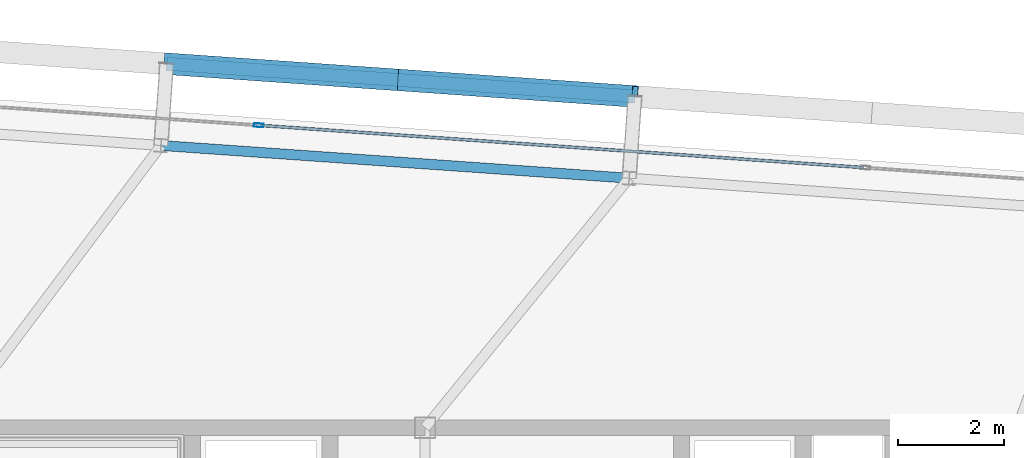
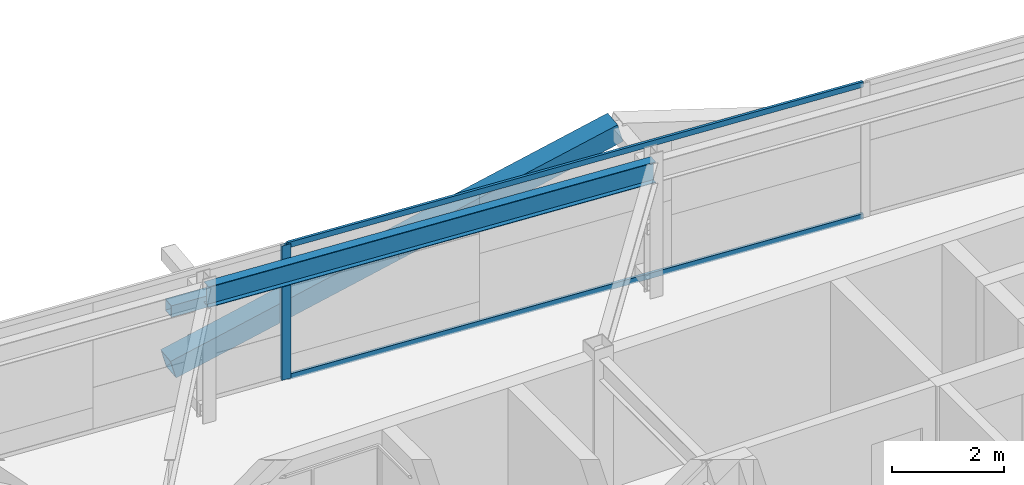
# One storey, part 21 of 39: 6 members, 1 beam, 1 element without a shape of its own.
"""IFC4 building model written with IfcOpenShell, lengths in metres."""

from ifc_helpers import new_model, si_unit, direction, frame, origin, origin_2d, place, context, subcontext, project, spatial, hollow_rectangle, i_section, extrude, source, transform, mapped, material, layer, layer_set, material_profile, profile_set, type_object, element, aggregate, save


model = new_model("IFC4")

# Units and contexts
model_context = context("Model", 3, precision=1e-05, world=origin(), true_north=direction((0.0, 1.0)))
body_context = subcontext(model_context, "Body", "Model", "MODEL_VIEW")
ifc_project = project(units=[si_unit("LENGTHUNIT", "METRE"), si_unit("AREAUNIT", "SQUARE_METRE"), si_unit("VOLUMEUNIT", "CUBIC_METRE"), si_unit("PLANEANGLEUNIT", "RADIAN"), si_unit("MASSUNIT", "GRAM", prefix="KILO")], contexts=[model_context])

# Site, building, storey
site_placement = place(None, origin())
site = spatial("IfcSite", under=ifc_project, at=site_placement, CompositionType="ELEMENT")
building_placement = place(site_placement, origin())
building = spatial("IfcBuilding", under=site, at=building_placement, Name="Taldren Reach Tower", CompositionType="ELEMENT")
storey_placement = place(building_placement, frame((0.0, 0.0, 148.75)))
storey = spatial("IfcBuildingStorey", under=building, at=storey_placement, Name="L45", CompositionType="ELEMENT", Elevation=148.75)

# Beam
ifc_material_1 = material(Name="Steel Gr 350 (350PLUS)", Category="steel")
ifc_material_profile_1 = material_profile(ifc_material_1, i_section(OverallWidth=0.18994140625, OverallDepth=0.4541015625, WebThickness=0.008544921875, FlangeThickness=0.0126953125, at=origin_2d()), Name="460UB67.1")
ifc_profile_set_1 = profile_set([ifc_material_profile_1], Name="Steel Gr 350 (350PLUS)")
beam_type = type_object("IfcBeamType", Name="SP-UB460B", PredefinedType="SPANDREL", material=ifc_profile_set_1)
shared_shape_1 = source(origin(), body_context, "Body", "SweptSolid", [
    extrude(i_section(OverallWidth=0.18994140625, OverallDepth=0.4541015625, WebThickness=0.008544921875, FlangeThickness=0.0126953125, at=origin_2d()), origin(), (0.0, 0.0, 1.0), 8.880126953125),
])
beam_placement = place(storey_placement, frame((31.861328125, 36.719970703125, 2.702880859375), z_axis=(-0.997564479639, 0.069750333063, 0.0), x_axis=(-0.069750333063, -0.997564479639, 0.0)))
element("IfcBeam", 1, at=beam_placement, inside=storey, type_object=beam_type, Name="Perimeter spandrel B3 N3-N2 L45", PredefinedType="SPANDREL", context=body_context, shape_type="MappedRepresentation", body=[
    mapped(shared_shape_1, transform((0.0, 0.0, 0.0), scale=1.0)),
])

# Members
ifc_material_2 = material(Name="Steel Gr 350 (C350L0)", Category="steel")
ifc_material_profile_2 = material_profile(ifc_material_2, hollow_rectangle(XDim=0.25, YDim=0.25, WallThickness=0.010009765625, at=origin_2d()), Name="250x250x10.0SHS")
ifc_profile_set_2 = profile_set([ifc_material_profile_2], Name="Steel Gr 350 (C350L0)")
member_type_1 = type_object("IfcMemberType", Name="MB-POST250", PredefinedType="POST", material=ifc_profile_set_2)
shared_shape_2 = source(origin(), body_context, "Body", "SweptSolid", [
    extrude(hollow_rectangle(XDim=0.25, YDim=0.25, WallThickness=0.010009765625, at=origin_2d()), origin(), (0.0, 0.0, 1.0), 8.880126953125),
])
member_1_placement = place(storey_placement, frame((23.111083984375, 38.885498046875, 1.43505859375), z_axis=(0.997564479639, -0.069750333063, 0.0), x_axis=(0.069750333063, 0.997564479639, 0.0)))
element("IfcMember", 2, at=member_1_placement, inside=storey, type_object=member_type_1, Name="Exoskeleton mid-height ring chord B3-N2 L45", PredefinedType="POST", context=body_context, shape_type="MappedRepresentation", body=[
    mapped(shared_shape_2, transform((0.0, 0.0, 0.0), scale=1.0)),
])
ifc_material_3 = material(Name="Steel Gr 450 (C450L0)", Category="steel")
ifc_material_profile_3 = material_profile(ifc_material_3, hollow_rectangle(XDim=0.409912109375, YDim=0.409912109375, WallThickness=0.01611328125, at=origin_2d()), Name="410x410x16.0SHS")
ifc_profile_set_3 = profile_set([ifc_material_profile_3], Name="Steel Gr 450 (C450L0)")
member_type_2 = type_object("IfcMemberType", Name="MB-EXO406", PredefinedType="BRACE", material=ifc_profile_set_3)
shared_shape_3 = source(origin(), body_context, "Body", "SweptSolid", [
    extrude(hollow_rectangle(XDim=0.409912109375, YDim=0.409912109375, WallThickness=0.01611328125, at=origin_2d()), origin(), (0.0, 0.0, 1.0), 4.603271484375),
])
for number, where, z_axis, x_axis, name in (
    (3, (23.111083984375, 38.885498046875, 0.219970703125), (0.962185784239, -0.067250114343, 0.263962002434), (0.069722973508, 0.997566392259, 0.0), "Exoskeleton Diagrid Brace B3-N2 L45"),
    (4, (27.540283203125, 38.575927734375, 1.43505859375), (0.962195820062, -0.067303852699, 0.263911718699), (0.06977769246, 0.997562566276, 0.0), "Exoskeleton Diagrid Brace B3-N2 L45"),
):
    element("IfcMember", number, at=place(storey_placement, frame(where, z_axis=z_axis, x_axis=x_axis)), inside=storey, type_object=member_type_2, Name=name, PredefinedType="BRACE", context=body_context, shape_type="MappedRepresentation", body=[
        mapped(shared_shape_3, transform((0.0, 0.0, 0.0), scale=1.0)),
    ])

# Curtain wall, members
ifc_material_4 = material(Name="Aluminium and Low-E Glass Unitised System", Category="aluminium")
ifc_layer = layer(ifc_material_4, 0.159912109375)
ifc_layer_set = layer_set([ifc_layer], Name="Aluminium and Low-E Glass Unitised System")
curtain_wall_type = type_object("IfcCurtainWallType", Name="CW-SYS-4", PredefinedType="NOTDEFINED", material=ifc_layer_set)
curtain_wall_placement = place(storey_placement, origin())
curtain_wall = element("IfcCurtainWall", 5, at=curtain_wall_placement, inside=storey, type_object=curtain_wall_type, Name="Unitised curtain wall CW-L45-N", PredefinedType="NOTDEFINED")
ifc_material_5 = material(Name="Anodised Aluminium 6063-T6", Category="aluminium")
ifc_material_profile_4 = material_profile(ifc_material_5, hollow_rectangle(XDim=0.054931640625, YDim=0.1201171875, WallThickness=0.0029296875, at=origin_2d()), Name="ALU-120x55x3RHS")
ifc_profile_set_4 = profile_set([ifc_material_profile_4], Name="Anodised Aluminium 6063-T6")
member_type_3 = type_object("IfcMemberType", Name="CW-TRN-135", PredefinedType="USERDEFINED", material=ifc_profile_set_4)
shared_shape_4 = source(origin(), body_context, "Body", "SweptSolid", [
    extrude(hollow_rectangle(XDim=0.054931640625, YDim=0.1201171875, WallThickness=0.0029296875, at=origin_2d()), origin(), (0.0, 0.0, 1.0), 11.43017578125),
])
member_2_placement = place(storey_placement, frame((36.291259765625, 36.92138671875, 0.027587890625), z_axis=(-0.997563844883, 0.069759410701, 0.0), x_axis=(-0.069759410701, -0.997563844883, 0.0)))
member_2 = element("IfcMember", 6, at=member_2_placement, type_object=member_type_3, Name="CW-4 transom 3.1", ObjectType="TRANSOM", PredefinedType="USERDEFINED", context=body_context, shape_type="MappedRepresentation", body=[
    mapped(shared_shape_4, transform((0.0, 0.0, 0.0), scale=1.0)),
])
member_3_placement = place(storey_placement, frame((36.291259765625, 36.92138671875, 2.902587890625), z_axis=(-0.997563844883, 0.069759410701, 0.0), x_axis=(-0.069759410701, -0.997563844883, 0.0)))
member_3 = element("IfcMember", 7, at=member_3_placement, type_object=member_type_3, Name="CW-4 transom 3.2", ObjectType="TRANSOM", PredefinedType="USERDEFINED", context=body_context, shape_type="MappedRepresentation", body=[
    mapped(shared_shape_4, transform((0.0, 0.0, 0.0), scale=1.0)),
])
ifc_material_profile_5 = material_profile(ifc_material_5, hollow_rectangle(XDim=0.070068359375, YDim=0.179931640625, WallThickness=0.00390625, at=origin_2d()), Name="ALU-180x70x4RHS")
ifc_profile_set_5 = profile_set([ifc_material_profile_5], Name="Anodised Aluminium 6063-T6")
member_type_4 = type_object("IfcMemberType", Name="CW-MUL-180", PredefinedType="MULLION", material=ifc_profile_set_5)
shared_shape_5 = source(origin(), body_context, "Body", "SweptSolid", [
    extrude(hollow_rectangle(XDim=0.070068359375, YDim=0.179931640625, WallThickness=0.00390625, at=origin_2d()), origin(), (0.0, 0.0, 1.0), 2.929931640625),
])
member_4_placement = place(storey_placement, frame((24.85400390625, 37.72119140625, 0.0), z_axis=(0.0, 0.0, 1.0), x_axis=(-0.06975651593, -0.99756404731, 0.0)))
member_4 = element("IfcMember", 8, at=member_4_placement, type_object=member_type_4, Name="CW-4 mullion 4", PredefinedType="MULLION", context=body_context, shape_type="MappedRepresentation", body=[
    mapped(shared_shape_5, transform((0.0, 0.0, 0.0), scale=1.0)),
])
aggregate(curtain_wall, [member_4, member_2, member_3])

save(model, "model.ifc")
